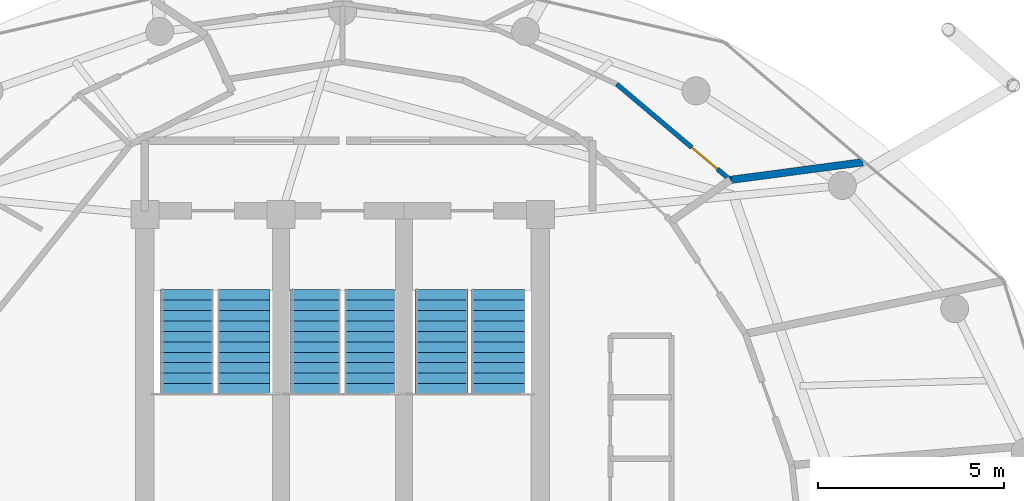
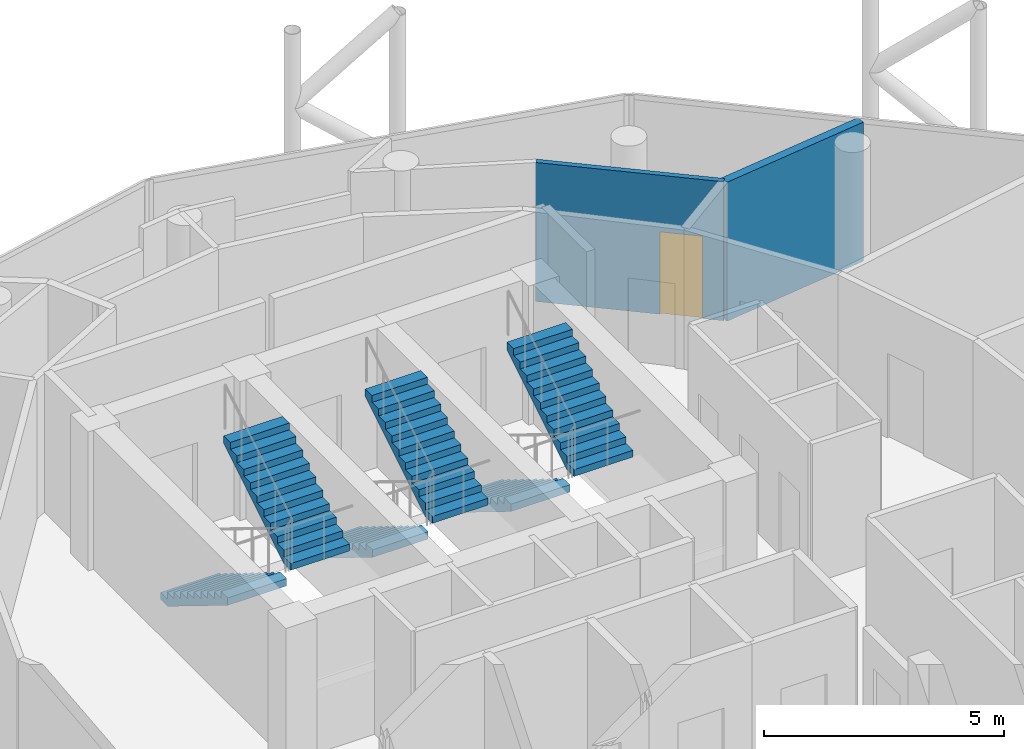
# One storey, part 23 of 24: 6 stair flights, 2 walls, 1 door, 1 opening, 3 elements without a shape of their own.
"""IFC4 building model written with IfcOpenShell, lengths in metres."""

from ifc_helpers import new_model, si_unit, direction, frame, frame_2d, origin, place, context, subcontext, project, spatial, polyline, rectangle, outline, extrude, material, layer, layer_set, type_object, element, fill, aggregate, save


model = new_model("IFC4")

# Units and contexts
model_context = context("Model", 3, precision=1e-05, world=origin(), true_north=direction((0.0, 1.0)))
body_context = subcontext(model_context, "Body", "Model", "MODEL_VIEW")
ifc_project = project(units=[si_unit("LENGTHUNIT", "METRE"), si_unit("AREAUNIT", "SQUARE_METRE"), si_unit("VOLUMEUNIT", "CUBIC_METRE"), si_unit("PLANEANGLEUNIT", "RADIAN"), si_unit("MASSUNIT", "GRAM", prefix="KILO")], contexts=[model_context])

# Site, building, storey
site_placement = place(None, origin())
site = spatial("IfcSite", under=ifc_project, at=site_placement, CompositionType="ELEMENT")
building_placement = place(site_placement, origin())
building = spatial("IfcBuilding", under=site, at=building_placement, Name="Nuhasar Tower", CompositionType="ELEMENT")
storey_placement = place(building_placement, frame((0.0, 0.0, 259.39990234375)))
storey = spatial("IfcBuildingStorey", under=building, at=storey_placement, Name="L64", CompositionType="ELEMENT", Elevation=259.39990234375)

# Wall, opening, door
ifc_material_1 = material(Name="Gypsum Board", Category="gypsum")
ifc_layer_1 = layer(ifc_material_1, 0.125)
ifc_layer_set_1 = layer_set([ifc_layer_1], Name="Gypsum Board")
wall_type_1 = type_object("IfcWallType", Name="WL-PART-125", PredefinedType="PARTITIONING", material=ifc_layer_set_1)
wall_1_placement = place(storey_placement, frame((46.35009765625, 40.794921875, 0.0), z_axis=(0.0, 0.0, 1.0), x_axis=(0.764348134159, -0.644803791713, 0.0)))
wall_1 = element("IfcWall", 1, at=wall_1_placement, inside=storey, type_object=wall_type_1, Name="L64 Interior Partition UMID-04-A-06", PredefinedType="PARTITIONING", context=body_context, shape_type="SweptSolid", body=[
    extrude(rectangle(XDim=3.982421875, YDim=0.125, at=frame_2d((1.9912109375, 0.0))), origin(), (0.0, 0.0, 1.0), 3.5400390625),
])
opening_placement = place(wall_1_placement, frame((2.6298828125, 0.0, 0.0)))
opening = element("IfcOpeningElement", 2, at=opening_placement, cuts=wall_1, Name="Opening DR-01", PredefinedType="OPENING", context=body_context, shape_type="SweptSolid", body=[
    extrude(rectangle(XDim=0.89990234375, YDim=2.10009765625, at=frame_2d((0.449951171875, 1.050048828125))), frame((0.0, 0.072509765625, 0.0), z_axis=(0.0, -1.0, 0.0), x_axis=(1.0, 0.0, 0.0)), (0.0, 0.0, 1.0), 0.14501953125),
])
ifc_material_2 = material(Name="Timber Oak", Category="wood")
door_type = type_object("IfcDoorType", Name="DR-ROOM-900", OperationType="NOTDEFINED", PredefinedType="DOOR", material=ifc_material_2)
door_placement = place(opening_placement, origin())
door = element("IfcDoor", 3, at=door_placement, inside=storey, type_object=door_type, Name="L64 U04 Living Door", OperationType="SINGLE_SWING_RIGHT", OverallHeight=2.10009765625, OverallWidth=0.89990234375, PredefinedType="DOOR", context=body_context, shape_type="SweptSolid", body=[
    extrude(rectangle(XDim=0.89990234375, YDim=2.10009765625, at=frame_2d((0.449951171875, 1.050048828125))), frame((0.0, 0.02490234375, 0.0), z_axis=(0.0, -1.0, 0.0), x_axis=(1.0, 0.0, 0.0)), (0.0, 0.0, 1.0), 0.050048828125),
])
fill(opening, door)

# Wall
ifc_material_3 = material(Name="Concrete C40/50 precast", Category="concrete")
ifc_layer_2 = layer(ifc_material_3, 0.199951171875)
ifc_layer_set_2 = layer_set([ifc_layer_2], Name="Concrete C40/50 precast")
wall_type_2 = type_object("IfcWallType", Name="WL-UNIT-200", PredefinedType="PARTITIONING", material=ifc_layer_set_2)
wall_2_placement = place(storey_placement, frame((49.39404296875, 38.22705078125, 0.0), z_axis=(0.0, 0.0, 1.0), x_axis=(0.991241562349, 0.13206121714, 0.0)))
element("IfcWall", 4, at=wall_2_placement, inside=storey, type_object=wall_type_2, Name="L64 Interior Partition URAD-06-S2", PredefinedType="PARTITIONING", context=body_context, shape_type="SweptSolid", body=[
    extrude(rectangle(XDim=3.58837890625, YDim=0.199951171875, at=frame_2d((1.794189453125, 0.0))), origin(), (0.0, 0.0, 1.0), 3.5400390625),
])

# Stair, stair flights
ifc_material_4 = material(Name="Concrete C45/55", Category="concrete")
stair_type_1 = type_object("IfcStairType", Name="STR-ST-01-2F-22R-1727", PredefinedType="HALF_TURN_STAIR", material=ifc_material_4)
stair_1_placement = place(storey_placement, origin())
stair_1 = element("IfcStair", 5, at=stair_1_placement, inside=storey, type_object=stair_type_1, Name="L64 Exit Stair ST-01", PredefinedType="HALF_TURN_STAIR")
stair_flight_type_1 = type_object("IfcStairFlightType", Name="SFL-ST-01-11R-1727", PredefinedType="STRAIGHT", material=ifc_material_4)
stair_flight_1_placement = place(storey_placement, frame((34.830078125, 35.284912109375, 0.0), z_axis=(0.0, 0.0, 1.0), x_axis=(0.0, -1.0, 0.0)))
stair_flight_1 = element("IfcStairFlight", 6, at=stair_flight_1_placement, type_object=stair_flight_type_1, Name="ST-01 flight 1", NumberOfRisers=11, NumberOfTreads=10, PredefinedType="STRAIGHT", RiserHeight=0.172727, TreadLength=0.28, context=body_context, shape_type="SweptSolid", body=[
    extrude(outline(polyline([(0.0, 0.0), (0.0, 0.172607421875), (0.280029296875, 0.172607421875), (0.280029296875, 0.345458984375), (0.56005859375, 0.345458984375), (0.56005859375, 0.51806640625), (0.840087890625, 0.51806640625), (0.840087890625, 0.69091796875), (1.1201171875, 0.69091796875), (1.1201171875, 0.863525390625), (1.39990234375, 0.863525390625), (1.39990234375, 1.036376953125), (1.679931640625, 1.036376953125), (1.679931640625, 1.208984375), (1.9599609375, 1.208984375), (1.9599609375, 1.3818359375), (2.239990234375, 1.3818359375), (2.239990234375, 1.554443359375), (2.52001953125, 1.554443359375), (2.52001953125, 1.727294921875), (2.800048828125, 1.727294921875), (2.800048828125, 1.89990234375), (2.800048828125, 1.539306640625), (0.3046875, 0.0), (0.0, 0.0)])), frame((0.0, 0.7099609375, 0.0), z_axis=(0.0, -1.0, 0.0), x_axis=(1.0, 0.0, 0.0)), (0.0, 0.0, 1.0), 1.419921875),
])
stair_flight_2_placement = place(storey_placement, frame((36.35009765625, 32.485107421875, 1.900146484375), z_axis=(0.0, 0.0, 1.0), x_axis=(0.0, 1.0, 0.0)))
stair_flight_2 = element("IfcStairFlight", 7, at=stair_flight_2_placement, type_object=stair_flight_type_1, Name="ST-01 flight 2", NumberOfRisers=11, NumberOfTreads=10, PredefinedType="STRAIGHT", RiserHeight=0.172727, TreadLength=0.28, context=body_context, shape_type="SweptSolid", body=[
    extrude(outline(polyline([(0.0, 0.0), (0.0, 0.172607421875), (0.280029296875, 0.172607421875), (0.280029296875, 0.345458984375), (0.56005859375, 0.345458984375), (0.56005859375, 0.51806640625), (0.840087890625, 0.51806640625), (0.840087890625, 0.69091796875), (1.1201171875, 0.69091796875), (1.1201171875, 0.863525390625), (1.39990234375, 0.863525390625), (1.39990234375, 1.036376953125), (1.679931640625, 1.036376953125), (1.679931640625, 1.208984375), (1.9599609375, 1.208984375), (1.9599609375, 1.3818359375), (2.239990234375, 1.3818359375), (2.239990234375, 1.554443359375), (2.52001953125, 1.554443359375), (2.52001953125, 1.727294921875), (2.800048828125, 1.727294921875), (2.800048828125, 1.89990234375), (2.800048828125, 1.539306640625), (0.3046875, 0.0), (0.0, 0.0)])), frame((0.0, 0.7099609375, 0.0), z_axis=(0.0, -1.0, 0.0), x_axis=(1.0, 0.0, 0.0)), (0.0, 0.0, 1.0), 1.419921875),
])
aggregate(stair_1, [stair_flight_1, stair_flight_2])

stair_type_2 = type_object("IfcStairType", Name="STR-ST-02-2F-22R-1727", PredefinedType="HALF_TURN_STAIR", material=ifc_material_4)
stair_2_placement = place(storey_placement, origin())
stair_2 = element("IfcStair", 8, at=stair_2_placement, inside=storey, type_object=stair_type_2, Name="L64 Exit Stair ST-02", PredefinedType="HALF_TURN_STAIR")
stair_flight_type_2 = type_object("IfcStairFlightType", Name="SFL-ST-02-11R-1727", PredefinedType="STRAIGHT", material=ifc_material_4)
stair_flight_3_placement = place(storey_placement, frame((41.64990234375, 35.284912109375, 0.0), z_axis=(0.0, 0.0, 1.0), x_axis=(0.0, -1.0, 0.0)))
stair_flight_3 = element("IfcStairFlight", 9, at=stair_flight_3_placement, type_object=stair_flight_type_2, Name="ST-02 flight 1", NumberOfRisers=11, NumberOfTreads=10, PredefinedType="STRAIGHT", RiserHeight=0.172727, TreadLength=0.28, context=body_context, shape_type="SweptSolid", body=[
    extrude(outline(polyline([(0.0, 0.0), (0.0, 0.172607421875), (0.280029296875, 0.172607421875), (0.280029296875, 0.345458984375), (0.56005859375, 0.345458984375), (0.56005859375, 0.51806640625), (0.840087890625, 0.51806640625), (0.840087890625, 0.69091796875), (1.1201171875, 0.69091796875), (1.1201171875, 0.863525390625), (1.39990234375, 0.863525390625), (1.39990234375, 1.036376953125), (1.679931640625, 1.036376953125), (1.679931640625, 1.208984375), (1.9599609375, 1.208984375), (1.9599609375, 1.3818359375), (2.239990234375, 1.3818359375), (2.239990234375, 1.554443359375), (2.52001953125, 1.554443359375), (2.52001953125, 1.727294921875), (2.800048828125, 1.727294921875), (2.800048828125, 1.89990234375), (2.800048828125, 1.539306640625), (0.3046875, 0.0), (0.0, 0.0)])), frame((0.0, 0.7099609375, 0.0), z_axis=(0.0, -1.0, 0.0), x_axis=(1.0, 0.0, 0.0)), (0.0, 0.0, 1.0), 1.419921875),
])
stair_flight_4_placement = place(storey_placement, frame((43.169921875, 32.485107421875, 1.900146484375), z_axis=(0.0, 0.0, 1.0), x_axis=(0.0, 1.0, 0.0)))
stair_flight_4 = element("IfcStairFlight", 10, at=stair_flight_4_placement, type_object=stair_flight_type_2, Name="ST-02 flight 2", NumberOfRisers=11, NumberOfTreads=10, PredefinedType="STRAIGHT", RiserHeight=0.172727, TreadLength=0.28, context=body_context, shape_type="SweptSolid", body=[
    extrude(outline(polyline([(0.0, 0.0), (0.0, 0.172607421875), (0.280029296875, 0.172607421875), (0.280029296875, 0.345458984375), (0.56005859375, 0.345458984375), (0.56005859375, 0.51806640625), (0.840087890625, 0.51806640625), (0.840087890625, 0.69091796875), (1.1201171875, 0.69091796875), (1.1201171875, 0.863525390625), (1.39990234375, 0.863525390625), (1.39990234375, 1.036376953125), (1.679931640625, 1.036376953125), (1.679931640625, 1.208984375), (1.9599609375, 1.208984375), (1.9599609375, 1.3818359375), (2.239990234375, 1.3818359375), (2.239990234375, 1.554443359375), (2.52001953125, 1.554443359375), (2.52001953125, 1.727294921875), (2.800048828125, 1.727294921875), (2.800048828125, 1.89990234375), (2.800048828125, 1.539306640625), (0.3046875, 0.0), (0.0, 0.0)])), frame((0.0, 0.7099609375, 0.0), z_axis=(0.0, -1.0, 0.0), x_axis=(1.0, 0.0, 0.0)), (0.0, 0.0, 1.0), 1.419921875),
])
aggregate(stair_2, [stair_flight_3, stair_flight_4])

stair_type_3 = type_object("IfcStairType", Name="STR-ST-03-2F-22R-1727", PredefinedType="HALF_TURN_STAIR", material=ifc_material_4)
stair_3_placement = place(storey_placement, origin())
stair_3 = element("IfcStair", 11, at=stair_3_placement, inside=storey, type_object=stair_type_3, Name="L64 Exit Stair ST-03", PredefinedType="HALF_TURN_STAIR")
stair_flight_type_3 = type_object("IfcStairFlightType", Name="SFL-ST-03-11R-1727", PredefinedType="STRAIGHT", material=ifc_material_4)
stair_flight_5_placement = place(storey_placement, frame((38.280029296875, 35.284912109375, 0.0), z_axis=(0.0, 0.0, 1.0), x_axis=(0.0, -1.0, 0.0)))
stair_flight_5 = element("IfcStairFlight", 12, at=stair_flight_5_placement, type_object=stair_flight_type_3, Name="ST-03 flight 1", NumberOfRisers=11, NumberOfTreads=10, PredefinedType="STRAIGHT", RiserHeight=0.172727, TreadLength=0.28, context=body_context, shape_type="SweptSolid", body=[
    extrude(outline(polyline([(0.0, 0.0), (0.0, 0.172607421875), (0.280029296875, 0.172607421875), (0.280029296875, 0.345458984375), (0.56005859375, 0.345458984375), (0.56005859375, 0.51806640625), (0.840087890625, 0.51806640625), (0.840087890625, 0.69091796875), (1.1201171875, 0.69091796875), (1.1201171875, 0.863525390625), (1.39990234375, 0.863525390625), (1.39990234375, 1.036376953125), (1.679931640625, 1.036376953125), (1.679931640625, 1.208984375), (1.9599609375, 1.208984375), (1.9599609375, 1.3818359375), (2.239990234375, 1.3818359375), (2.239990234375, 1.554443359375), (2.52001953125, 1.554443359375), (2.52001953125, 1.727294921875), (2.800048828125, 1.727294921875), (2.800048828125, 1.89990234375), (2.800048828125, 1.539306640625), (0.3046875, 0.0), (0.0, 0.0)])), frame((0.0, 0.669921875, 0.0), z_axis=(0.0, -1.0, 0.0), x_axis=(1.0, 0.0, 0.0)), (0.0, 0.0, 1.0), 1.340087890625),
])
stair_flight_6_placement = place(storey_placement, frame((39.719970703125, 32.485107421875, 1.900146484375), z_axis=(0.0, 0.0, 1.0), x_axis=(0.0, 1.0, 0.0)))
stair_flight_6 = element("IfcStairFlight", 13, at=stair_flight_6_placement, type_object=stair_flight_type_3, Name="ST-03 flight 2", NumberOfRisers=11, NumberOfTreads=10, PredefinedType="STRAIGHT", RiserHeight=0.172727, TreadLength=0.28, context=body_context, shape_type="SweptSolid", body=[
    extrude(outline(polyline([(0.0, 0.0), (0.0, 0.172607421875), (0.280029296875, 0.172607421875), (0.280029296875, 0.345458984375), (0.56005859375, 0.345458984375), (0.56005859375, 0.51806640625), (0.840087890625, 0.51806640625), (0.840087890625, 0.69091796875), (1.1201171875, 0.69091796875), (1.1201171875, 0.863525390625), (1.39990234375, 0.863525390625), (1.39990234375, 1.036376953125), (1.679931640625, 1.036376953125), (1.679931640625, 1.208984375), (1.9599609375, 1.208984375), (1.9599609375, 1.3818359375), (2.239990234375, 1.3818359375), (2.239990234375, 1.554443359375), (2.52001953125, 1.554443359375), (2.52001953125, 1.727294921875), (2.800048828125, 1.727294921875), (2.800048828125, 1.89990234375), (2.800048828125, 1.539306640625), (0.3046875, 0.0), (0.0, 0.0)])), frame((0.0, 0.669921875, 0.0), z_axis=(0.0, -1.0, 0.0), x_axis=(1.0, 0.0, 0.0)), (0.0, 0.0, 1.0), 1.340087890625),
])
aggregate(stair_3, [stair_flight_5, stair_flight_6])

save(model, "model.ifc")
